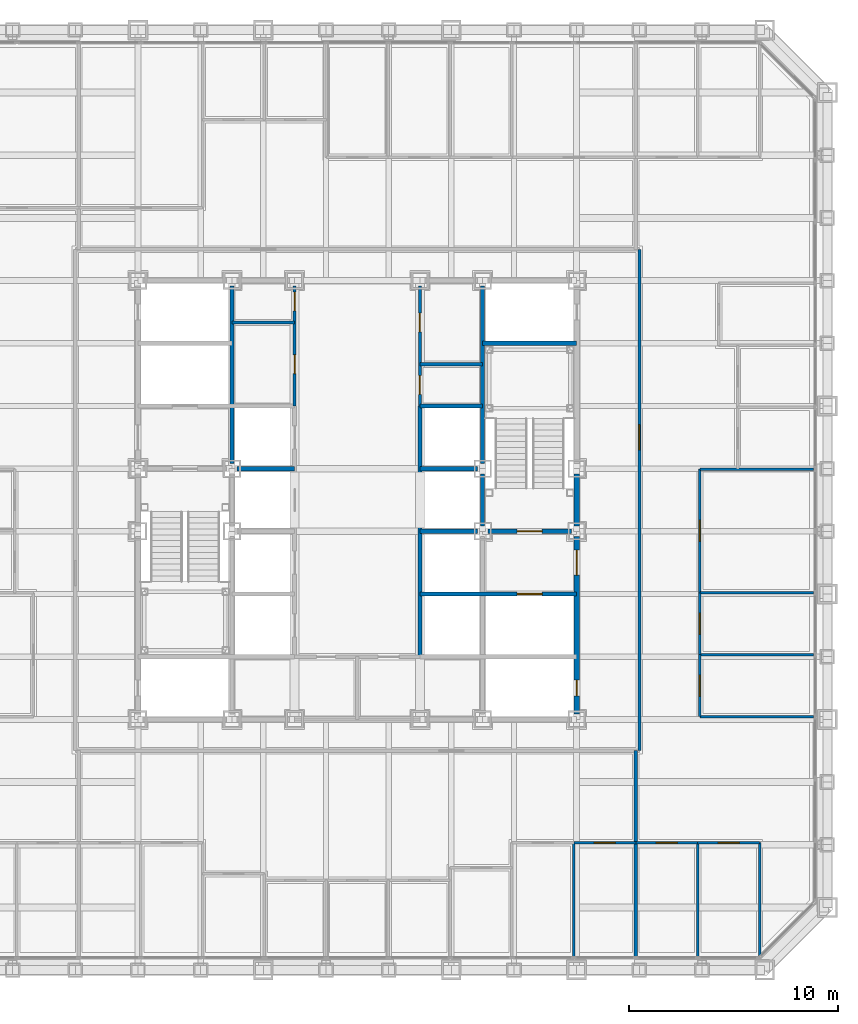
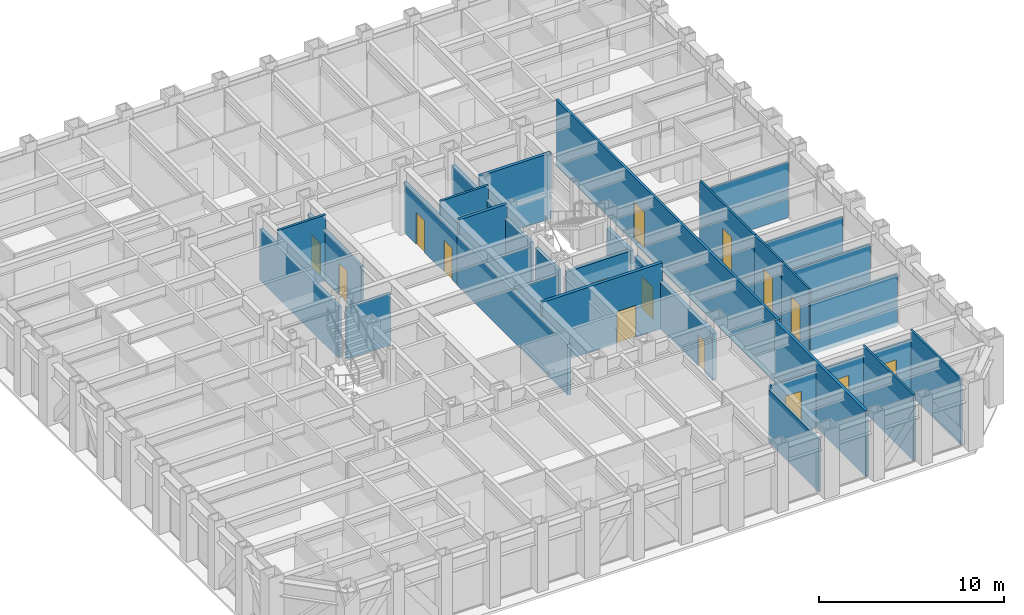
# One storey, part 10 of 16: 32 walls, 15 doors, 15 openings.
"""IFC4 building model written with IfcOpenShell, lengths in metres."""

from ifc_helpers import new_model, si_unit, direction, frame, frame_2d, origin, place, context, subcontext, project, spatial, rectangle, extrude, material, layer, layer_set, type_object, element, fill, save


model = new_model("IFC4")

# Units and contexts
model_context = context("Model", 3, precision=1e-05, world=origin(), true_north=direction((0.0, 1.0)))
body_context = subcontext(model_context, "Body", "Model", "MODEL_VIEW")
ifc_project = project(units=[si_unit("LENGTHUNIT", "METRE"), si_unit("AREAUNIT", "SQUARE_METRE"), si_unit("VOLUMEUNIT", "CUBIC_METRE"), si_unit("PLANEANGLEUNIT", "RADIAN"), si_unit("MASSUNIT", "GRAM", prefix="KILO")], contexts=[model_context])

# Site, building, storey
site_placement = place(None, origin())
site = spatial("IfcSite", under=ifc_project, at=site_placement, CompositionType="ELEMENT")
building_placement = place(site_placement, origin())
building = spatial("IfcBuilding", under=site, at=building_placement, Name="Chuquiago Exchange Tower", CompositionType="ELEMENT")
storey_placement = place(building_placement, frame((0.0, 0.0, 78.300048828125)))
storey = spatial("IfcBuildingStorey", under=building, at=storey_placement, Name="L16", CompositionType="ELEMENT", Elevation=78.300048828125)

# Wall, openings, doors
ifc_material_1 = material(Name="Concrete masonry, fully grouted", Category="masonry")
ifc_layer_1 = layer(ifc_material_1, 0.25)
ifc_layer_set_1 = layer_set([ifc_layer_1], Name="W1 core wall 250")
wall_type_1 = type_object("IfcWallType", Name="W1 core wall 250", PredefinedType="SOLIDWALL", material=ifc_layer_set_1)
wall_1_placement = place(storey_placement, frame((33.0, 12.25, 0.0), z_axis=(0.0, 0.0, 1.0), x_axis=(0.0, 1.0, 0.0)))
wall_1 = element("IfcWall", 1, at=wall_1_placement, inside=storey, type_object=wall_type_1, Name="CW-L16-25-0", PredefinedType="SOLIDWALL", context=body_context, shape_type="SweptSolid", body=[
    extrude(rectangle(XDim=8.5, YDim=0.25, at=frame_2d((4.25, 0.0))), origin(), (0.0, 0.0, 1.0), 3.11279296875),
])
opening_1_placement = place(wall_1_placement, frame((6.64990234375, 0.0, 0.0)))
opening_1 = element("IfcOpeningElement", 2, at=opening_1_placement, cuts=wall_1, Name="Opening L16-004", PredefinedType="OPENING", context=body_context, shape_type="SweptSolid", body=[
    extrude(rectangle(XDim=1.199951171875, YDim=2.10009765625, at=frame_2d((0.60009765625, 1.050048828125))), frame((0.0, 0.135009765625, 0.0), z_axis=(0.0, -1.0, 0.0), x_axis=(1.0, 0.0, 0.0)), (0.0, 0.0, 1.0), 0.27001953125),
])
opening_2_placement = place(wall_1_placement, frame((0.875, 0.0, 0.0)))
opening_2 = element("IfcOpeningElement", 3, at=opening_2_placement, cuts=wall_1, Name="Opening L16-009", PredefinedType="OPENING", context=body_context, shape_type="SweptSolid", body=[
    extrude(rectangle(XDim=0.75, YDim=2.10009765625, at=frame_2d((0.375, 1.050048828125))), frame((0.0, 0.135009765625, 0.0), z_axis=(0.0, -1.0, 0.0), x_axis=(1.0, 0.0, 0.0)), (0.0, 0.0, 1.0), 0.27001953125),
])
ifc_material_2 = material(Name="Steel door, painted", Category="steel")
door_type_1 = type_object("IfcDoorType", Name="D5 firefighting lobby door 1200x2100", OperationType="SINGLE_SWING_LEFT", PredefinedType="DOOR", material=ifc_material_2)
door_1_placement = place(opening_1_placement, origin())
door_1 = element("IfcDoor", 4, at=door_1_placement, inside=storey, type_object=door_type_1, Name="Firefighting lobby 2 door", OperationType="SINGLE_SWING_RIGHT", OverallHeight=2.10009765625, OverallWidth=1.199951171875, PredefinedType="DOOR", context=body_context, shape_type="SweptSolid", body=[
    extrude(rectangle(XDim=1.199951171875, YDim=2.10009765625, at=frame_2d((0.60009765625, 1.050048828125))), frame((0.0, 0.02490234375, 0.0), z_axis=(0.0, -1.0, 0.0), x_axis=(1.0, 0.0, 0.0)), (0.0, 0.0, 1.0), 0.050048828125),
])
fill(opening_1, door_1)
ifc_material_3 = material(Name="Steel door, painted", Category="steel")
door_type_2 = type_object("IfcDoorType", Name="D6 riser access door 750x2100", OperationType="SINGLE_SWING_LEFT", PredefinedType="DOOR", material=ifc_material_3)
door_2_placement = place(opening_2_placement, frame((0.75, 0.0, 0.0), z_axis=(0.0, 0.0, 1.0), x_axis=(-1.0, 0.0, 0.0)))
door_2 = element("IfcDoor", 5, at=door_2_placement, inside=storey, type_object=door_type_2, Name="Riser RE1 door", OperationType="SINGLE_SWING_RIGHT", OverallHeight=2.10009765625, OverallWidth=0.75, PredefinedType="DOOR", context=body_context, shape_type="SweptSolid", body=[
    extrude(rectangle(XDim=0.75, YDim=2.10009765625, at=frame_2d((0.375, 1.050048828125))), frame((0.0, 0.02490234375, 0.0), z_axis=(0.0, -1.0, 0.0), x_axis=(1.0, 0.0, 0.0)), (0.0, 0.0, 1.0), 0.050048828125),
])
fill(opening_2, door_2)

# Wall
wall_2_placement = place(storey_placement, frame((33.0, 21.25, 0.0), z_axis=(0.0, 0.0, 1.0), x_axis=(0.0, 1.0, 0.0)))
element("IfcWall", 6, at=wall_2_placement, inside=storey, type_object=wall_type_1, Name="CW-L16-25-1", PredefinedType="SOLIDWALL", context=body_context, shape_type="SweptSolid", body=[
    extrude(rectangle(XDim=2.5, YDim=0.25, at=frame_2d((1.25, 0.0))), origin(), (0.0, 0.0, 1.0), 3.11279296875),
])

# Wall, opening, door
ifc_material_4 = material(Name="Gypsum board on steel studs, acoustic insulation", Category="steel")
ifc_layer_2 = layer(ifc_material_4, 0.14990234375)
ifc_layer_set_2 = layer_set([ifc_layer_2], Name="W11 corridor wall 150")
wall_type_2 = type_object("IfcWallType", Name="W11 corridor wall 150", PredefinedType="PARTITIONING", material=ifc_layer_set_2)
wall_3_placement = place(storey_placement, frame((36.0, 10.5, -0.300048828125), z_axis=(0.0, 0.0, 1.0), x_axis=(0.0, 1.0, 0.0)))
wall_3 = element("IfcWall", 7, at=wall_3_placement, inside=storey, type_object=wall_type_2, Name="PW-L16-CE", PredefinedType="PARTITIONING", context=body_context, shape_type="SweptSolid", body=[
    extrude(rectangle(XDim=24.0, YDim=0.14990234375, at=frame_2d((12.0, 0.0))), origin(), (0.0, 0.0, 1.0), 4.340087890625),
])
opening_3_placement = place(wall_3_placement, frame((14.39990234375, 0.0, 0.300048828125)))
opening_3 = element("IfcOpeningElement", 8, at=opening_3_placement, cuts=wall_3, Name="Opening L16-059", PredefinedType="OPENING", context=body_context, shape_type="SweptSolid", body=[
    extrude(rectangle(XDim=1.199951171875, YDim=2.39990234375, at=frame_2d((0.60009765625, 1.199951171875))), frame((0.0, 0.0849609375, 0.0), z_axis=(0.0, -1.0, 0.0), x_axis=(1.0, 0.0, 0.0)), (0.0, 0.0, 1.0), 0.169921875),
])
ifc_material_5 = material(Name="Timber door, laminate faced", Category="wood")
door_type_3 = type_object("IfcDoorType", Name="D13 suite entrance door 1200x2400", OperationType="SINGLE_SWING_LEFT", PredefinedType="DOOR", material=ifc_material_5)
door_3_placement = place(opening_3_placement, frame((1.199951171875, 0.0, 0.0), z_axis=(0.0, 0.0, 1.0), x_axis=(-1.0, 0.0, 0.0)))
door_3 = element("IfcDoor", 9, at=door_3_placement, inside=storey, type_object=door_type_3, Name="East suite entrance door", OperationType="SINGLE_SWING_LEFT", OverallHeight=2.39990234375, OverallWidth=1.199951171875, PredefinedType="DOOR", context=body_context, shape_type="SweptSolid", body=[
    extrude(rectangle(XDim=1.199951171875, YDim=2.39990234375, at=frame_2d((0.60009765625, 1.199951171875))), frame((0.0, 0.02490234375, 0.0), z_axis=(0.0, -1.0, 0.0), x_axis=(1.0, 0.0, 0.0)), (0.0, 0.0, 1.0), 0.050048828125),
])
fill(opening_3, door_3)

# Walls
ifc_material_6 = material(Name="Gypsum board on twin steel studs, acoustic insulation", Category="steel")
ifc_layer_3 = layer(ifc_material_6, 0.175048828125)
ifc_layer_set_3 = layer_set([ifc_layer_3], Name="W12 tenant demising wall 175")
wall_type_3 = type_object("IfcWallType", Name="W12 tenant demising wall 175", PredefinedType="PARTITIONING", material=ifc_layer_set_3)
wall_4_placement = place(storey_placement, frame((35.827880859375, 0.657470703125, -0.300048828125), z_axis=(0.0, 0.0, 1.0), x_axis=(0.0, 1.0, 0.0)))
element("IfcWall", 10, at=wall_4_placement, inside=storey, type_object=wall_type_3, Name="PW-L16-DS03583", PredefinedType="PARTITIONING", context=body_context, shape_type="SweptSolid", body=[
    extrude(rectangle(XDim=9.842529296875, YDim=0.175048828125, at=frame_2d((4.92138671875, 0.0))), origin(), (0.0, 0.0, 1.0), 4.340087890625),
])
ifc_material_7 = material(Name="Concrete masonry, fully grouted", Category="masonry")
ifc_layer_4 = layer(ifc_material_7, 0.199951171875)
ifc_layer_set_4 = layer_set([ifc_layer_4], Name="W2 shaft wall 200")
wall_type_4 = type_object("IfcWallType", Name="W2 shaft wall 200", PredefinedType="SOLIDWALL", material=ifc_layer_set_4)
for number, where, z_axis, x_axis, name in (
    (11, (16.75, 24.0, 0.0), (0.0, 0.0, 1.0), (1.0, 0.0, 0.0), "CW-L16-05-1"),
    (12, (25.5, 24.0, 0.0), (0.0, 0.0, 1.0), (1.0, 0.0, 0.0), "CW-L16-06-0"),
):
    element("IfcWall", number, at=place(storey_placement, frame(where, z_axis=z_axis, x_axis=x_axis)), inside=storey, type_object=wall_type_4, Name=name, PredefinedType="SOLIDWALL", context=body_context, shape_type="SweptSolid", body=[
        extrude(rectangle(XDim=2.75, YDim=0.199951171875, at=frame_2d((1.375, 0.0))), origin(), (0.0, 0.0, 1.0), 3.389892578125),
    ])
wall_5_placement = place(storey_placement, frame((25.5, 27.0, 0.0), z_axis=(0.0, 0.0, 1.0), x_axis=(1.0, 0.0, 0.0)))
element("IfcWall", 13, at=wall_5_placement, inside=storey, type_object=wall_type_4, Name="CW-L16-08-0", PredefinedType="SOLIDWALL", context=body_context, shape_type="SweptSolid", body=[
    extrude(rectangle(XDim=3.0, YDim=0.199951171875, at=frame_2d((1.5, 0.0))), origin(), (0.0, 0.0, 1.0), 4.33984375),
])
wall_6_placement = place(storey_placement, frame((28.5, 30.0, 0.0), z_axis=(0.0, 0.0, 1.0), x_axis=(1.0, 0.0, 0.0)))
element("IfcWall", 14, at=wall_6_placement, inside=storey, type_object=wall_type_4, Name="CW-L16-10-0", PredefinedType="SOLIDWALL", context=body_context, shape_type="SweptSolid", body=[
    extrude(rectangle(XDim=4.5, YDim=0.199951171875, at=frame_2d((2.25, 0.0))), origin(), (0.0, 0.0, 1.0), 4.33984375),
])
wall_7_placement = place(storey_placement, frame((16.5, 24.25, 0.0), z_axis=(0.0, 0.0, 1.0), x_axis=(0.0, 1.0, 0.0)))
element("IfcWall", 15, at=wall_7_placement, inside=storey, type_object=wall_type_4, Name="CW-L16-13-2", PredefinedType="SOLIDWALL", context=body_context, shape_type="SweptSolid", body=[
    extrude(rectangle(XDim=8.5, YDim=0.199951171875, at=frame_2d((4.25, 0.0))), origin(), (0.0, 0.0, 1.0), 3.412841796875),
])

# Wall, opening, door
wall_8_placement = place(storey_placement, frame((25.5, 18.0, 0.0), z_axis=(0.0, 0.0, 1.0), x_axis=(1.0, 0.0, 0.0)))
wall_8 = element("IfcWall", 16, at=wall_8_placement, inside=storey, type_object=wall_type_4, Name="CW-L16-15-0", PredefinedType="SOLIDWALL", context=body_context, shape_type="SweptSolid", body=[
    extrude(rectangle(XDim=7.5, YDim=0.199951171875, at=frame_2d((3.75, 0.0))), origin(), (0.0, 0.0, 1.0), 4.33984375),
])
opening_4_placement = place(wall_8_placement, frame((4.64990234375, 0.0, 0.0)))
opening_4 = element("IfcOpeningElement", 17, at=opening_4_placement, cuts=wall_8, Name="Opening L16-006", PredefinedType="OPENING", context=body_context, shape_type="SweptSolid", body=[
    extrude(rectangle(XDim=1.199951171875, YDim=2.10009765625, at=frame_2d((0.60009765625, 1.050048828125))), frame((0.0, 0.10986328125, 0.0), z_axis=(0.0, -1.0, 0.0), x_axis=(1.0, 0.0, 0.0)), (0.0, 0.0, 1.0), 0.219970703125),
])
ifc_material_8 = material(Name="Stainless steel lift landing door", Category="steel")
door_type_4 = type_object("IfcDoorType", Name="LD2 firefighting lift landing door 1200x2100", OperationType="DOUBLE_DOOR_SLIDING", PredefinedType="DOOR", material=ifc_material_8)
door_4_placement = place(opening_4_placement, origin())
door_4 = element("IfcDoor", 18, at=door_4_placement, inside=storey, type_object=door_type_4, Name="Firefighting lift FL2 landing door", OperationType="DOUBLE_DOOR_SLIDING", OverallHeight=2.10009765625, OverallWidth=1.199951171875, PredefinedType="DOOR", context=body_context, shape_type="SweptSolid", body=[
    extrude(rectangle(XDim=1.199951171875, YDim=2.10009765625, at=frame_2d((0.60009765625, 1.050048828125))), frame((0.0, 0.02490234375, 0.0), z_axis=(0.0, -1.0, 0.0), x_axis=(1.0, 0.0, 0.0)), (0.0, 0.0, 1.0), 0.050048828125),
])
fill(opening_4, door_4)

# Wall
wall_9_placement = place(storey_placement, frame((25.5, 21.0, 0.0), z_axis=(0.0, 0.0, 1.0), x_axis=(1.0, 0.0, 0.0)))
element("IfcWall", 19, at=wall_9_placement, inside=storey, type_object=wall_type_4, Name="CW-L16-17-0", PredefinedType="SOLIDWALL", context=body_context, shape_type="SweptSolid", body=[
    extrude(rectangle(XDim=2.75, YDim=0.199951171875, at=frame_2d((1.375, 0.0))), origin(), (0.0, 0.0, 1.0), 3.389892578125),
])

# Wall, opening, door
wall_10_placement = place(storey_placement, frame((28.75, 21.0, 0.0), z_axis=(0.0, 0.0, 1.0), x_axis=(1.0, 0.0, 0.0)))
wall_10 = element("IfcWall", 20, at=wall_10_placement, inside=storey, type_object=wall_type_4, Name="CW-L16-17-1", PredefinedType="SOLIDWALL", context=body_context, shape_type="SweptSolid", body=[
    extrude(rectangle(XDim=4.0, YDim=0.199951171875, at=frame_2d((2.0, 0.0))), origin(), (0.0, 0.0, 1.0), 3.389892578125),
])
opening_5_placement = place(wall_10_placement, frame((1.39990234375, 0.0, 0.0)))
opening_5 = element("IfcOpeningElement", 21, at=opening_5_placement, cuts=wall_10, Name="Opening L16-003", PredefinedType="OPENING", context=body_context, shape_type="SweptSolid", body=[
    extrude(rectangle(XDim=1.199951171875, YDim=2.10009765625, at=frame_2d((0.60009765625, 1.050048828125))), frame((0.0, 0.10986328125, 0.0), z_axis=(0.0, -1.0, 0.0), x_axis=(1.0, 0.0, 0.0)), (0.0, 0.0, 1.0), 0.219970703125),
])
ifc_material_9 = material(Name="Steel door, painted", Category="steel")
door_type_5 = type_object("IfcDoorType", Name="D4 stair door 1200x2100", OperationType="SINGLE_SWING_LEFT", PredefinedType="DOOR", material=ifc_material_9)
door_5_placement = place(opening_5_placement, origin())
door_5 = element("IfcDoor", 22, at=door_5_placement, inside=storey, type_object=door_type_5, Name="Stair ST2 door", OperationType="SINGLE_SWING_LEFT", OverallHeight=2.10009765625, OverallWidth=1.199951171875, PredefinedType="DOOR", context=body_context, shape_type="SweptSolid", body=[
    extrude(rectangle(XDim=1.199951171875, YDim=2.10009765625, at=frame_2d((0.60009765625, 1.050048828125))), frame((0.0, 0.02490234375, 0.0), z_axis=(0.0, -1.0, 0.0), x_axis=(1.0, 0.0, 0.0)), (0.0, 0.0, 1.0), 0.050048828125),
])
fill(opening_5, door_5)

# Walls
wall_11_placement = place(storey_placement, frame((25.5, 15.0, 0.0), z_axis=(0.0, 0.0, 1.0), x_axis=(0.0, 1.0, 0.0)))
element("IfcWall", 23, at=wall_11_placement, inside=storey, type_object=wall_type_4, Name="CW-L16-22-0", PredefinedType="SOLIDWALL", context=body_context, shape_type="SweptSolid", body=[
    extrude(rectangle(XDim=12.0, YDim=0.199951171875, at=frame_2d((6.0, 0.0))), origin(), (0.0, 0.0, 1.0), 3.364501953125),
])
wall_12_placement = place(storey_placement, frame((28.5, 21.25, 0.0), z_axis=(0.0, 0.0, 1.0), x_axis=(0.0, 1.0, 0.0)))
element("IfcWall", 24, at=wall_12_placement, inside=storey, type_object=wall_type_4, Name="CW-L16-24-1", PredefinedType="SOLIDWALL", context=body_context, shape_type="SweptSolid", body=[
    extrude(rectangle(XDim=2.5, YDim=0.199951171875, at=frame_2d((1.25, 0.0))), origin(), (0.0, 0.0, 1.0), 3.412841796875),
])
wall_13_placement = place(storey_placement, frame((28.5, 24.25, 0.0), z_axis=(0.0, 0.0, 1.0), x_axis=(0.0, 1.0, 0.0)))
element("IfcWall", 25, at=wall_13_placement, inside=storey, type_object=wall_type_4, Name="CW-L16-24-2", PredefinedType="SOLIDWALL", context=body_context, shape_type="SweptSolid", body=[
    extrude(rectangle(XDim=8.5, YDim=0.199951171875, at=frame_2d((4.25, 0.0))), origin(), (0.0, 0.0, 1.0), 3.412841796875),
])

# Wall, openings, doors
ifc_material_10 = material(Name="Gypsum board on steel studs", Category="steel")
ifc_layer_5 = layer(ifc_material_10, 0.14990234375)
ifc_layer_set_5 = layer_set([ifc_layer_5], Name="W3 core partition 150")
wall_type_5 = type_object("IfcWallType", Name="W3 core partition 150", PredefinedType="PARTITIONING", material=ifc_layer_set_5)
wall_14_placement = place(storey_placement, frame((19.5, 27.0, 0.0), z_axis=(0.0, 0.0, 1.0), x_axis=(0.0, 1.0, 0.0)))
wall_14 = element("IfcWall", 26, at=wall_14_placement, inside=storey, type_object=wall_type_5, Name="CW-L16-20-0", PredefinedType="PARTITIONING", context=body_context, shape_type="SweptSolid", body=[
    extrude(rectangle(XDim=5.75, YDim=0.14990234375, at=frame_2d((2.875, 0.0))), origin(), (0.0, 0.0, 1.0), 3.364501953125),
])
opening_6_placement = place(wall_14_placement, frame((1.550048828125, 0.0, 0.0)))
opening_6 = element("IfcOpeningElement", 27, at=opening_6_placement, cuts=wall_14, Name="Opening L16-011", PredefinedType="OPENING", context=body_context, shape_type="SweptSolid", body=[
    extrude(rectangle(XDim=0.89990234375, YDim=2.10009765625, at=frame_2d((0.449951171875, 1.050048828125))), frame((0.0, 0.0849609375, 0.0), z_axis=(0.0, -1.0, 0.0), x_axis=(1.0, 0.0, 0.0)), (0.0, 0.0, 1.0), 0.169921875),
])
opening_7_placement = place(wall_14_placement, frame((4.550048828125, 0.0, 0.0)))
opening_7 = element("IfcOpeningElement", 28, at=opening_7_placement, cuts=wall_14, Name="Opening L16-012", PredefinedType="OPENING", context=body_context, shape_type="SweptSolid", body=[
    extrude(rectangle(XDim=0.89990234375, YDim=2.10009765625, at=frame_2d((0.449951171875, 1.050048828125))), frame((0.0, 0.0849609375, 0.0), z_axis=(0.0, -1.0, 0.0), x_axis=(1.0, 0.0, 0.0)), (0.0, 0.0, 1.0), 0.169921875),
])
ifc_material_11 = material(Name="Timber door, laminate faced", Category="wood")
door_type_6 = type_object("IfcDoorType", Name="D16 core room door 900x2100", OperationType="SINGLE_SWING_LEFT", PredefinedType="DOOR", material=ifc_material_11)
door_6_placement = place(opening_7_placement, origin())
door_6 = element("IfcDoor", 29, at=door_6_placement, inside=storey, type_object=door_type_6, Name="Staff shower room door", OperationType="SINGLE_SWING_RIGHT", OverallHeight=2.10009765625, OverallWidth=0.89990234375, PredefinedType="DOOR", context=body_context, shape_type="SweptSolid", body=[
    extrude(rectangle(XDim=0.89990234375, YDim=2.10009765625, at=frame_2d((0.449951171875, 1.050048828125))), frame((0.0, 0.02490234375, 0.0), z_axis=(0.0, -1.0, 0.0), x_axis=(1.0, 0.0, 0.0)), (0.0, 0.0, 1.0), 0.050048828125),
])
fill(opening_7, door_6)
ifc_material_12 = material(Name="Timber door, laminate faced", Category="wood")
door_type_7 = type_object("IfcDoorType", Name="D7 toilet door 900x2100", OperationType="SINGLE_SWING_LEFT", PredefinedType="DOOR", material=ifc_material_12)
door_7_placement = place(opening_6_placement, origin())
door_7 = element("IfcDoor", 30, at=door_7_placement, inside=storey, type_object=door_type_7, Name="Male WC door", OperationType="SINGLE_SWING_LEFT", OverallHeight=2.10009765625, OverallWidth=0.89990234375, PredefinedType="DOOR", context=body_context, shape_type="SweptSolid", body=[
    extrude(rectangle(XDim=0.89990234375, YDim=2.10009765625, at=frame_2d((0.449951171875, 1.050048828125))), frame((0.0, 0.02490234375, 0.0), z_axis=(0.0, -1.0, 0.0), x_axis=(1.0, 0.0, 0.0)), (0.0, 0.0, 1.0), 0.050048828125),
])
fill(opening_6, door_7)

wall_15_placement = place(storey_placement, frame((25.5, 27.0, 0.0), z_axis=(0.0, 0.0, 1.0), x_axis=(0.0, 1.0, 0.0)))
wall_15 = element("IfcWall", 31, at=wall_15_placement, inside=storey, type_object=wall_type_5, Name="CW-L16-23-0", PredefinedType="PARTITIONING", context=body_context, shape_type="SweptSolid", body=[
    extrude(rectangle(XDim=5.75, YDim=0.14990234375, at=frame_2d((2.875, 0.0))), origin(), (0.0, 0.0, 1.0), 3.364501953125),
])
opening_8_placement = place(wall_15_placement, frame((0.550048828125, 0.0, 0.0)))
opening_8 = element("IfcOpeningElement", 32, at=opening_8_placement, cuts=wall_15, Name="Opening L16-013", PredefinedType="OPENING", context=body_context, shape_type="SweptSolid", body=[
    extrude(rectangle(XDim=0.89990234375, YDim=2.10009765625, at=frame_2d((0.449951171875, 1.050048828125))), frame((0.0, 0.0849609375, 0.0), z_axis=(0.0, -1.0, 0.0), x_axis=(1.0, 0.0, 0.0)), (0.0, 0.0, 1.0), 0.169921875),
])
opening_9_placement = place(wall_15_placement, frame((3.550048828125, 0.0, 0.0)))
opening_9 = element("IfcOpeningElement", 33, at=opening_9_placement, cuts=wall_15, Name="Opening L16-014", PredefinedType="OPENING", context=body_context, shape_type="SweptSolid", body=[
    extrude(rectangle(XDim=0.89990234375, YDim=2.10009765625, at=frame_2d((0.449951171875, 1.050048828125))), frame((0.0, 0.0849609375, 0.0), z_axis=(0.0, -1.0, 0.0), x_axis=(1.0, 0.0, 0.0)), (0.0, 0.0, 1.0), 0.169921875),
])
door_8_placement = place(opening_8_placement, frame((0.89990234375, 0.0, 0.0), z_axis=(0.0, 0.0, 1.0), x_axis=(-1.0, 0.0, 0.0)))
door_8 = element("IfcDoor", 34, at=door_8_placement, inside=storey, type_object=door_type_6, Name="First aid room door", OperationType="SINGLE_SWING_RIGHT", OverallHeight=2.10009765625, OverallWidth=0.89990234375, PredefinedType="DOOR", context=body_context, shape_type="SweptSolid", body=[
    extrude(rectangle(XDim=0.89990234375, YDim=2.10009765625, at=frame_2d((0.449951171875, 1.050048828125))), frame((0.0, 0.02490234375, 0.0), z_axis=(0.0, -1.0, 0.0), x_axis=(1.0, 0.0, 0.0)), (0.0, 0.0, 1.0), 0.050048828125),
])
fill(opening_8, door_8)
door_9_placement = place(opening_9_placement, frame((0.89990234375, 0.0, 0.0), z_axis=(0.0, 0.0, 1.0), x_axis=(-1.0, 0.0, 0.0)))
door_9 = element("IfcDoor", 35, at=door_9_placement, inside=storey, type_object=door_type_7, Name="Female WC door", OperationType="SINGLE_SWING_LEFT", OverallHeight=2.10009765625, OverallWidth=0.89990234375, PredefinedType="DOOR", context=body_context, shape_type="SweptSolid", body=[
    extrude(rectangle(XDim=0.89990234375, YDim=2.10009765625, at=frame_2d((0.449951171875, 1.050048828125))), frame((0.0, 0.02490234375, 0.0), z_axis=(0.0, -1.0, 0.0), x_axis=(1.0, 0.0, 0.0)), (0.0, 0.0, 1.0), 0.050048828125),
])
fill(opening_9, door_9)

# Walls
for number, where, z_axis, x_axis, name in (
    (36, (16.5, 31.0, 0.0), (0.0, 0.0, 1.0), (1.0, 0.0, 0.0), "CW-L16-WCMS"),
    (37, (25.5, 29.0, 0.0), (0.0, 0.0, 1.0), (1.0, 0.0, 0.0), "CW-L16-WCFS"),
):
    element("IfcWall", number, at=place(storey_placement, frame(where, z_axis=z_axis, x_axis=x_axis)), inside=storey, type_object=wall_type_5, Name=name, PredefinedType="PARTITIONING", context=body_context, shape_type="SweptSolid", body=[
        extrude(rectangle(XDim=3.0, YDim=0.14990234375, at=frame_2d((1.5, 0.0))), origin(), (0.0, 0.0, 1.0), 4.33984375),
    ])
ifc_material_13 = material(Name="Gypsum board on steel studs", Category="steel")
ifc_layer_6 = layer(ifc_material_13, 0.1201171875)
ifc_layer_set_6 = layer_set([ifc_layer_6], Name="W4 partition 120")
wall_type_6 = type_object("IfcWallType", Name="W4 partition 120", PredefinedType="PARTITIONING", material=ifc_layer_set_6)
wall_16_placement = place(storey_placement, frame((32.8662109375, 0.657470703125, -0.300048828125), z_axis=(0.0, 0.0, 1.0), x_axis=(0.0, 1.0, 0.0)))
element("IfcWall", 38, at=wall_16_placement, inside=storey, type_object=wall_type_6, Name="PW-L16-S03287", PredefinedType="PARTITIONING", context=body_context, shape_type="SweptSolid", body=[
    extrude(rectangle(XDim=5.442626953125, YDim=0.1201171875, at=frame_2d((2.72119140625, 0.0))), origin(), (0.0, 0.0, 1.0), 3.4814453125),
])
wall_17_placement = place(storey_placement, frame((38.789794921875, 0.657470703125, -0.300048828125), z_axis=(0.0, 0.0, 1.0), x_axis=(0.0, 1.0, 0.0)))
element("IfcWall", 39, at=wall_17_placement, inside=storey, type_object=wall_type_6, Name="PW-L16-S03879", PredefinedType="PARTITIONING", context=body_context, shape_type="SweptSolid", body=[
    extrude(rectangle(XDim=5.442626953125, YDim=0.1201171875, at=frame_2d((2.72119140625, 0.0))), origin(), (0.0, 0.0, 1.0), 4.340087890625),
])
wall_18_placement = place(storey_placement, frame((41.75146484375, 0.666015625, -0.300048828125), z_axis=(0.0, 0.0, 1.0), x_axis=(0.0, 1.0, 0.0)))
element("IfcWall", 40, at=wall_18_placement, inside=storey, type_object=wall_type_6, Name="PW-L16-S04175", PredefinedType="PARTITIONING", context=body_context, shape_type="SweptSolid", body=[
    extrude(rectangle(XDim=5.43408203125, YDim=0.1201171875, at=frame_2d((2.717041015625, 0.0))), origin(), (0.0, 0.0, 1.0), 4.340087890625),
])

# Wall, opening, door
wall_19_placement = place(storey_placement, frame((32.8662109375, 6.10009765625, -0.300048828125), z_axis=(0.0, 0.0, 1.0), x_axis=(1.0, 0.0, 0.0)))
wall_19 = element("IfcWall", 41, at=wall_19_placement, inside=storey, type_object=wall_type_6, Name="PW-L16-SF03287", PredefinedType="PARTITIONING", context=body_context, shape_type="SweptSolid", body=[
    extrude(rectangle(XDim=2.961669921875, YDim=0.1201171875, at=frame_2d((1.48095703125, 0.0))), origin(), (0.0, 0.0, 1.0), 3.722900390625),
])
opening_10_placement = place(wall_19_placement, frame((0.98095703125, 0.0, 0.300048828125)))
opening_10 = element("IfcOpeningElement", 42, at=opening_10_placement, cuts=wall_19, Name="Opening L16-031", PredefinedType="OPENING", context=body_context, shape_type="SweptSolid", body=[
    extrude(rectangle(XDim=1.0, YDim=2.39990234375, at=frame_2d((0.5, 1.199951171875))), frame((0.0, 0.070068359375, 0.0), z_axis=(0.0, -1.0, 0.0), x_axis=(1.0, 0.0, 0.0)), (0.0, 0.0, 1.0), 0.14013671875),
])
ifc_material_14 = material(Name="Timber frame door, full height glazed panel", Category="wood")
door_type_8 = type_object("IfcDoorType", Name="D14 glazed meeting room door 1000x2400", OperationType="SINGLE_SWING_LEFT", PredefinedType="DOOR", material=ifc_material_14)
door_10_placement = place(opening_10_placement, frame((1.0, 0.0, 0.0), z_axis=(0.0, 0.0, 1.0), x_axis=(-1.0, 0.0, 0.0)))
door_10 = element("IfcDoor", 43, at=door_10_placement, inside=storey, type_object=door_type_8, Name="Meeting room door", OperationType="SINGLE_SWING_LEFT", OverallHeight=2.39990234375, OverallWidth=1.0, PredefinedType="DOOR", context=body_context, shape_type="SweptSolid", body=[
    extrude(rectangle(XDim=1.0, YDim=2.39990234375, at=frame_2d((0.5, 1.199951171875))), frame((0.0, 0.02490234375, 0.0), z_axis=(0.0, -1.0, 0.0), x_axis=(1.0, 0.0, 0.0)), (0.0, 0.0, 1.0), 0.050048828125),
])
fill(opening_10, door_10)

wall_20_placement = place(storey_placement, frame((35.827880859375, 6.10009765625, -0.300048828125), z_axis=(0.0, 0.0, 1.0), x_axis=(1.0, 0.0, 0.0)))
wall_20 = element("IfcWall", 44, at=wall_20_placement, inside=storey, type_object=wall_type_6, Name="PW-L16-SF03583", PredefinedType="PARTITIONING", context=body_context, shape_type="SweptSolid", body=[
    extrude(rectangle(XDim=2.9619140625, YDim=0.1201171875, at=frame_2d((1.48095703125, 0.0))), origin(), (0.0, 0.0, 1.0), 3.722900390625),
])
opening_11_placement = place(wall_20_placement, frame((0.98095703125, 0.0, 0.300048828125)))
opening_11 = element("IfcOpeningElement", 45, at=opening_11_placement, cuts=wall_20, Name="Opening L16-032", PredefinedType="OPENING", context=body_context, shape_type="SweptSolid", body=[
    extrude(rectangle(XDim=1.0, YDim=2.39990234375, at=frame_2d((0.5, 1.199951171875))), frame((0.0, 0.070068359375, 0.0), z_axis=(0.0, -1.0, 0.0), x_axis=(1.0, 0.0, 0.0)), (0.0, 0.0, 1.0), 0.14013671875),
])
ifc_material_15 = material(Name="Timber door, laminate faced", Category="wood")
door_type_9 = type_object("IfcDoorType", Name="D9 room door 1000x2400", OperationType="SINGLE_SWING_LEFT", PredefinedType="DOOR", material=ifc_material_15)
door_11_placement = place(opening_11_placement, frame((1.0, 0.0, 0.0), z_axis=(0.0, 0.0, 1.0), x_axis=(-1.0, 0.0, 0.0)))
door_11 = element("IfcDoor", 46, at=door_11_placement, inside=storey, type_object=door_type_9, Name="Office door", OperationType="SINGLE_SWING_RIGHT", OverallHeight=2.39990234375, OverallWidth=1.0, PredefinedType="DOOR", context=body_context, shape_type="SweptSolid", body=[
    extrude(rectangle(XDim=1.0, YDim=2.39990234375, at=frame_2d((0.5, 1.199951171875))), frame((0.0, 0.02490234375, 0.0), z_axis=(0.0, -1.0, 0.0), x_axis=(1.0, 0.0, 0.0)), (0.0, 0.0, 1.0), 0.050048828125),
])
fill(opening_11, door_11)

wall_21_placement = place(storey_placement, frame((38.789794921875, 6.10009765625, -0.300048828125), z_axis=(0.0, 0.0, 1.0), x_axis=(1.0, 0.0, 0.0)))
wall_21 = element("IfcWall", 47, at=wall_21_placement, inside=storey, type_object=wall_type_6, Name="PW-L16-SF03879", PredefinedType="PARTITIONING", context=body_context, shape_type="SweptSolid", body=[
    extrude(rectangle(XDim=2.961669921875, YDim=0.1201171875, at=frame_2d((1.48095703125, 0.0))), origin(), (0.0, 0.0, 1.0), 3.722900390625),
])
opening_12_placement = place(wall_21_placement, frame((0.98095703125, 0.0, 0.300048828125)))
opening_12 = element("IfcOpeningElement", 48, at=opening_12_placement, cuts=wall_21, Name="Opening L16-033", PredefinedType="OPENING", context=body_context, shape_type="SweptSolid", body=[
    extrude(rectangle(XDim=1.0, YDim=2.39990234375, at=frame_2d((0.5, 1.199951171875))), frame((0.0, 0.070068359375, 0.0), z_axis=(0.0, -1.0, 0.0), x_axis=(1.0, 0.0, 0.0)), (0.0, 0.0, 1.0), 0.14013671875),
])
door_12_placement = place(opening_12_placement, frame((1.0, 0.0, 0.0), z_axis=(0.0, 0.0, 1.0), x_axis=(-1.0, 0.0, 0.0)))
door_12 = element("IfcDoor", 49, at=door_12_placement, inside=storey, type_object=door_type_9, Name="Office door", OperationType="SINGLE_SWING_LEFT", OverallHeight=2.39990234375, OverallWidth=1.0, PredefinedType="DOOR", context=body_context, shape_type="SweptSolid", body=[
    extrude(rectangle(XDim=1.0, YDim=2.39990234375, at=frame_2d((0.5, 1.199951171875))), frame((0.0, 0.02490234375, 0.0), z_axis=(0.0, -1.0, 0.0), x_axis=(1.0, 0.0, 0.0)), (0.0, 0.0, 1.0), 0.050048828125),
])
fill(opening_12, door_12)

# Walls
wall_22_placement = place(storey_placement, frame((44.342529296875, 12.1337890625, -0.300048828125), z_axis=(0.0, 0.0, 1.0), x_axis=(-1.0, 0.0, 0.0)))
element("IfcWall", 50, at=wall_22_placement, inside=storey, type_object=wall_type_6, Name="PW-L16-E01213", PredefinedType="PARTITIONING", context=body_context, shape_type="SweptSolid", body=[
    extrude(rectangle(XDim=5.442626953125, YDim=0.1201171875, at=frame_2d((2.72119140625, 0.0))), origin(), (0.0, 0.0, 1.0), 3.4814453125),
])
for number, where, z_axis, x_axis, name in (
    (51, (44.342529296875, 15.095703125, -0.300048828125), (0.0, 0.0, 1.0), (-1.0, 0.0, 0.0), "PW-L16-E01510"),
    (52, (44.342529296875, 18.057373046875, -0.300048828125), (0.0, 0.0, 1.0), (-1.0, 0.0, 0.0), "PW-L16-E01806"),
    (53, (44.342529296875, 23.98095703125, -0.300048828125), (0.0, 0.0, 1.0), (-1.0, 0.0, 0.0), "PW-L16-E02398"),
):
    element("IfcWall", number, at=place(storey_placement, frame(where, z_axis=z_axis, x_axis=x_axis)), inside=storey, type_object=wall_type_6, Name=name, PredefinedType="PARTITIONING", context=body_context, shape_type="SweptSolid", body=[
        extrude(rectangle(XDim=5.442626953125, YDim=0.1201171875, at=frame_2d((2.72119140625, 0.0))), origin(), (0.0, 0.0, 1.0), 3.646484375),
    ])

# Wall, opening, door
wall_23_placement = place(storey_placement, frame((38.89990234375, 12.1337890625, -0.300048828125), z_axis=(0.0, 0.0, 1.0), x_axis=(0.0, 1.0, 0.0)))
wall_23 = element("IfcWall", 54, at=wall_23_placement, inside=storey, type_object=wall_type_6, Name="PW-L16-EF01213", PredefinedType="PARTITIONING", context=body_context, shape_type="SweptSolid", body=[
    extrude(rectangle(XDim=2.9619140625, YDim=0.1201171875, at=frame_2d((1.48095703125, 0.0))), origin(), (0.0, 0.0, 1.0), 4.340087890625),
])
opening_13_placement = place(wall_23_placement, frame((0.98095703125, 0.0, 0.300048828125)))
opening_13 = element("IfcOpeningElement", 55, at=opening_13_placement, cuts=wall_23, Name="Opening L16-034", PredefinedType="OPENING", context=body_context, shape_type="SweptSolid", body=[
    extrude(rectangle(XDim=1.0, YDim=2.39990234375, at=frame_2d((0.5, 1.199951171875))), frame((0.0, 0.070068359375, 0.0), z_axis=(0.0, -1.0, 0.0), x_axis=(1.0, 0.0, 0.0)), (0.0, 0.0, 1.0), 0.14013671875),
])
door_13_placement = place(opening_13_placement, frame((1.0, 0.0, 0.0), z_axis=(0.0, 0.0, 1.0), x_axis=(-1.0, 0.0, 0.0)))
door_13 = element("IfcDoor", 56, at=door_13_placement, inside=storey, type_object=door_type_9, Name="Office door", OperationType="SINGLE_SWING_LEFT", OverallHeight=2.39990234375, OverallWidth=1.0, PredefinedType="DOOR", context=body_context, shape_type="SweptSolid", body=[
    extrude(rectangle(XDim=1.0, YDim=2.39990234375, at=frame_2d((0.5, 1.199951171875))), frame((0.0, 0.02490234375, 0.0), z_axis=(0.0, -1.0, 0.0), x_axis=(1.0, 0.0, 0.0)), (0.0, 0.0, 1.0), 0.050048828125),
])
fill(opening_13, door_13)

wall_24_placement = place(storey_placement, frame((38.89990234375, 15.095703125, -0.300048828125), z_axis=(0.0, 0.0, 1.0), x_axis=(0.0, 1.0, 0.0)))
wall_24 = element("IfcWall", 57, at=wall_24_placement, inside=storey, type_object=wall_type_6, Name="PW-L16-EF01510", PredefinedType="PARTITIONING", context=body_context, shape_type="SweptSolid", body=[
    extrude(rectangle(XDim=2.961669921875, YDim=0.1201171875, at=frame_2d((1.48095703125, 0.0))), origin(), (0.0, 0.0, 1.0), 4.340087890625),
])
opening_14_placement = place(wall_24_placement, frame((0.98095703125, 0.0, 0.300048828125)))
opening_14 = element("IfcOpeningElement", 58, at=opening_14_placement, cuts=wall_24, Name="Opening L16-035", PredefinedType="OPENING", context=body_context, shape_type="SweptSolid", body=[
    extrude(rectangle(XDim=1.0, YDim=2.39990234375, at=frame_2d((0.5, 1.199951171875))), frame((0.0, 0.070068359375, 0.0), z_axis=(0.0, -1.0, 0.0), x_axis=(1.0, 0.0, 0.0)), (0.0, 0.0, 1.0), 0.14013671875),
])
door_14_placement = place(opening_14_placement, frame((1.0, 0.0, 0.0), z_axis=(0.0, 0.0, 1.0), x_axis=(-1.0, 0.0, 0.0)))
door_14 = element("IfcDoor", 59, at=door_14_placement, inside=storey, type_object=door_type_9, Name="Office door", OperationType="SINGLE_SWING_RIGHT", OverallHeight=2.39990234375, OverallWidth=1.0, PredefinedType="DOOR", context=body_context, shape_type="SweptSolid", body=[
    extrude(rectangle(XDim=1.0, YDim=2.39990234375, at=frame_2d((0.5, 1.199951171875))), frame((0.0, 0.02490234375, 0.0), z_axis=(0.0, -1.0, 0.0), x_axis=(1.0, 0.0, 0.0)), (0.0, 0.0, 1.0), 0.050048828125),
])
fill(opening_14, door_14)

wall_25_placement = place(storey_placement, frame((38.89990234375, 18.057373046875, -0.300048828125), z_axis=(0.0, 0.0, 1.0), x_axis=(0.0, 1.0, 0.0)))
wall_25 = element("IfcWall", 60, at=wall_25_placement, inside=storey, type_object=wall_type_6, Name="PW-L16-EF01806", PredefinedType="PARTITIONING", context=body_context, shape_type="SweptSolid", body=[
    extrude(rectangle(XDim=5.923583984375, YDim=0.1201171875, at=frame_2d((2.9619140625, 0.0))), origin(), (0.0, 0.0, 1.0), 4.340087890625),
])
opening_15_placement = place(wall_25_placement, frame((2.461669921875, 0.0, 0.300048828125)))
opening_15 = element("IfcOpeningElement", 61, at=opening_15_placement, cuts=wall_25, Name="Opening L16-036", PredefinedType="OPENING", context=body_context, shape_type="SweptSolid", body=[
    extrude(rectangle(XDim=1.0, YDim=2.39990234375, at=frame_2d((0.5, 1.199951171875))), frame((0.0, 0.070068359375, 0.0), z_axis=(0.0, -1.0, 0.0), x_axis=(1.0, 0.0, 0.0)), (0.0, 0.0, 1.0), 0.14013671875),
])
door_15_placement = place(opening_15_placement, frame((1.0, 0.0, 0.0), z_axis=(0.0, 0.0, 1.0), x_axis=(-1.0, 0.0, 0.0)))
door_15 = element("IfcDoor", 62, at=door_15_placement, inside=storey, type_object=door_type_8, Name="Meeting room door", OperationType="SINGLE_SWING_RIGHT", OverallHeight=2.39990234375, OverallWidth=1.0, PredefinedType="DOOR", context=body_context, shape_type="SweptSolid", body=[
    extrude(rectangle(XDim=1.0, YDim=2.39990234375, at=frame_2d((0.5, 1.199951171875))), frame((0.0, 0.02490234375, 0.0), z_axis=(0.0, -1.0, 0.0), x_axis=(1.0, 0.0, 0.0)), (0.0, 0.0, 1.0), 0.050048828125),
])
fill(opening_15, door_15)

save(model, "model.ifc")
